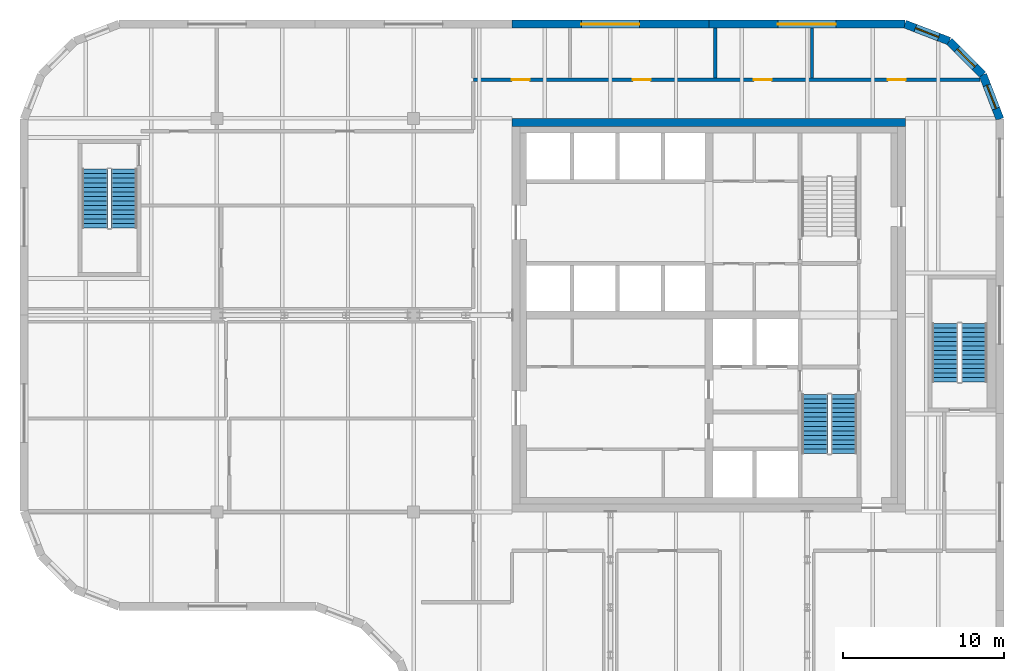
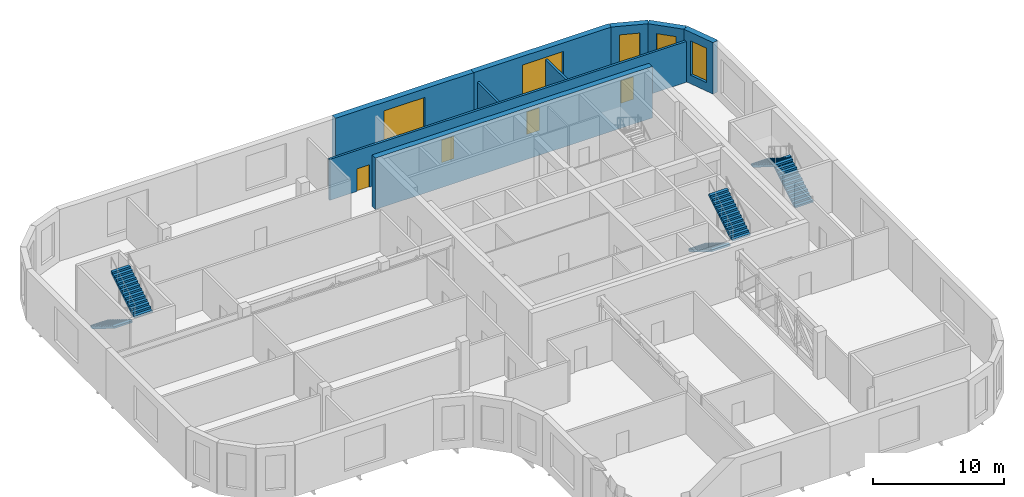
# One storey, part 10 of 12: 9 walls, 6 stair flights, 5 windows, 4 doors, 9 openings, 3 elements without a shape of their own.
"""IFC4 building model written with IfcOpenShell, lengths in metres."""

import ifcopenshell
import ifcopenshell.guid

model = None  # the IFC model being written
_history = None  # IfcOwnerHistory: only IFC2X3 demands one
_inside = {}  # id of a spatial element -> (the spatial element, [elements in it])
_under = {}  # id of a project, library or spatial element -> (it, [spatial elements below it])
_declared = {}  # id of a project -> (the project, [libraries it declares])
_typed = {}  # id of a type object -> (the type object, [elements of that type])
_made_of = {}  # id of a material, layer set ... -> (it, [elements and type objects made of it])


def new_model(schema):
    """Start an empty IFC model of exactly this schema.

    Asked for "IFC4X3", IfcOpenShell would pick the latest addendum, in which some entities
    have other attributes; the version numbers below select the first issue.
    IFC2X3 requires an IfcOwnerHistory on every rooted entity: one is made here for all.
    """
    global model, _history
    if schema == "IFC4X3":
        model = ifcopenshell.file(schema_version=(4, 3, 0, 0))
    else:
        model = ifcopenshell.file(schema=schema)
    _inside.clear()
    _under.clear()
    _declared.clear()
    _typed.clear()
    _made_of.clear()
    _history = None
    if model.schema == "IFC2X3":
        org = make("IfcOrganization", Name="unknown")
        user = make(
            "IfcPersonAndOrganization",
            ThePerson=make("IfcPerson", FamilyName="unknown"),
            TheOrganization=org,
        )
        app = make(
            "IfcApplication",
            ApplicationDeveloper=org,
            Version="unknown",
            ApplicationFullName="unknown",
            ApplicationIdentifier="unknown",
        )
        _history = make(
            "IfcOwnerHistory",
            OwningUser=user,
            OwningApplication=app,
            ChangeAction="ADDED",
            CreationDate=0,
        )
    return model


def make(cls, **values):
    """One entity of the class cls with the attributes given. An attribute that is None is left unset."""
    return model.create_entity(
        cls, **{name: value for name, value in values.items() if value is not None}
    )


def rooted(cls, **values):
    """An entity with a GlobalId (a new one), such as an element, a storey or a relation."""
    return make(cls, GlobalId=ifcopenshell.guid.new(), OwnerHistory=_history, **values)


def si_unit(unit_type, name, prefix=None):
    """IfcSIUnit, for example si_unit("LENGTHUNIT", "METRE", prefix="MILLI")."""
    return make("IfcSIUnit", UnitType=unit_type, Prefix=prefix, Name=name)


def assignment(units):
    """IfcUnitAssignment: the units of a project."""
    return None if units is None else make("IfcUnitAssignment", Units=units)


def point(xyz):
    """IfcCartesianPoint."""
    return None if xyz is None else make("IfcCartesianPoint", Coordinates=xyz)


def direction(xyz):
    """IfcDirection."""
    return None if xyz is None else make("IfcDirection", DirectionRatios=xyz)


def frame(location, z_axis=None, x_axis=None):
    """IfcAxis2Placement3D, a coordinate frame: its origin and axes. An axis left out is left unset."""
    return make(
        "IfcAxis2Placement3D",
        Location=point(location),
        Axis=direction(z_axis),
        RefDirection=direction(x_axis),
    )


def frame_2d(location, x_axis=None):
    """IfcAxis2Placement2D, a coordinate frame in the plane: its origin and x axis."""
    return make(
        "IfcAxis2Placement2D", Location=point(location), RefDirection=direction(x_axis)
    )


def origin():
    """The frame at (0, 0, 0) with its axes left unset."""
    return frame((0.0, 0.0, 0.0))


def place(relative_to, where):
    """IfcLocalPlacement: puts the frame where relative to a parent placement (None: the world)."""
    return make(
        "IfcLocalPlacement", PlacementRelTo=relative_to, RelativePlacement=where
    )


def context(
    kind, dimensions, precision=None, world=None, true_north=None, identifier=None
):
    """IfcGeometricRepresentationContext, for example the 3D "Model" context."""
    return make(
        "IfcGeometricRepresentationContext",
        ContextIdentifier=identifier,
        ContextType=kind,
        CoordinateSpaceDimension=dimensions,
        Precision=precision,
        WorldCoordinateSystem=world,
        TrueNorth=true_north,
    )


def subcontext(parent, identifier, kind, view, scale=None):
    """IfcGeometricRepresentationSubContext, for example "Body" below "Model"."""
    return make(
        "IfcGeometricRepresentationSubContext",
        ContextIdentifier=identifier,
        ContextType=kind,
        ParentContext=parent,
        TargetScale=scale,
        TargetView=view,
    )


def project(units=None, contexts=None):
    """IfcProject with its units and contexts."""
    return rooted(
        "IfcProject",
        Name="project",
        RepresentationContexts=contexts,
        UnitsInContext=assignment(units),
    )


def spatial(cls, under=None, at=None, **own):
    """A site, building, storey or space (cls), placed at a placement, below another one or the project."""
    s = rooted(cls, ObjectPlacement=at, **own)
    if under is not None:
        _under.setdefault(under.id(), (under, []))[1].append(s)
    return s


def polyline(points):
    """IfcPolyline through the points."""
    return make("IfcPolyline", Points=[point(p) for p in points])


def profile(cls, at=None, kind="AREA", **sizes):
    """A parametric profile (cls). Its sizes go by their IFC names, for example OverallWidth=200.0."""
    return make(cls, ProfileType=kind, Position=at, **sizes)


def rectangle(**sizes):
    """IfcRectangleProfileDef."""
    return profile("IfcRectangleProfileDef", **sizes)


def outline(outer, holes=None, kind="AREA"):
    """IfcArbitraryClosedProfileDef: a profile drawn as a closed curve; with holes, ...WithVoids."""
    if holes is None:
        return make("IfcArbitraryClosedProfileDef", ProfileType=kind, OuterCurve=outer)
    return make(
        "IfcArbitraryProfileDefWithVoids",
        ProfileType=kind,
        OuterCurve=outer,
        InnerCurves=holes,
    )


def extrude(swept, where, along, depth):
    """IfcExtrudedAreaSolid: the profile swept, set in the frame where, extruded along a direction by depth."""
    return make(
        "IfcExtrudedAreaSolid",
        SweptArea=swept,
        Position=where,
        ExtrudedDirection=direction(along),
        Depth=depth,
    )


def faces_of(points, faces, orient=None, outer=None):
    """IfcFace entities. A face is a list of loops; a loop is a list of indices into points, from 0.

    orient and outer hold one flag for each loop. By default every Orientation is true, the
    first loop of a face is its IfcFaceOuterBound and the others are IfcFaceBound.
    """
    made = []
    for i, loops in enumerate(faces):
        bounds = []
        for j, loop in enumerate(loops):
            is_outer = j == 0 if outer is None else outer[i][j]
            bounds.append(
                make(
                    "IfcFaceOuterBound" if is_outer else "IfcFaceBound",
                    Bound=make("IfcPolyLoop", Polygon=[points[k] for k in loop]),
                    Orientation=True if orient is None else orient[i][j],
                )
            )
        made.append(make("IfcFace", Bounds=bounds))
    return made


def faceted_brep(points, faces, orient=None, outer=None, voids=None):
    """IfcFacetedBrep: a solid bounded by flat faces; with voids (closed shells), ...WithVoids."""
    shared = [point(p) for p in points]
    hull = make("IfcClosedShell", CfsFaces=faces_of(shared, faces, orient, outer))
    if voids is None:
        return make("IfcFacetedBrep", Outer=hull)
    return make(
        "IfcFacetedBrepWithVoids",
        Outer=hull,
        Voids=[
            make(cls, CfsFaces=faces_of(shared, fs, o, b)) for cls, fs, o, b in voids
        ],
    )


def shape(context_of_items, identifier, shape_type, items):
    """IfcShapeRepresentation: the items that make up one representation, for example the "Body"."""
    return make(
        "IfcShapeRepresentation",
        ContextOfItems=context_of_items,
        RepresentationIdentifier=identifier,
        RepresentationType=shape_type,
        Items=items,
    )


def source(mapping_origin, context_of_items, identifier, shape_type, items):
    """IfcRepresentationMap: a shape defined once, which mapped items show again and again."""
    return make(
        "IfcRepresentationMap",
        MappingOrigin=mapping_origin,
        MappedRepresentation=shape(context_of_items, identifier, shape_type, items),
    )


def transform(
    local_origin,
    x_axis=None,
    y_axis=None,
    z_axis=None,
    scale=None,
    scale2=None,
    scale3=None,
    uniform=True,
):
    """IfcCartesianTransformationOperator3D, or its non-uniform kind. x_axis, y_axis, z_axis: its Axis1, 2, 3."""
    if uniform:
        return make(
            "IfcCartesianTransformationOperator3D",
            Axis1=direction(x_axis),
            Axis2=direction(y_axis),
            LocalOrigin=point(local_origin),
            Scale=scale,
            Axis3=direction(z_axis),
        )
    return make(
        "IfcCartesianTransformationOperator3DnonUniform",
        Axis1=direction(x_axis),
        Axis2=direction(y_axis),
        LocalOrigin=point(local_origin),
        Scale=scale,
        Axis3=direction(z_axis),
        Scale2=scale2,
        Scale3=scale3,
    )


def mapped(mapping_source, mapping_target):
    """IfcMappedItem: shows the shape of a source again, moved by a transform."""
    return make(
        "IfcMappedItem", MappingSource=mapping_source, MappingTarget=mapping_target
    )


def material(Name=None, Category=None):
    """IfcMaterial."""
    return make("IfcMaterial", Name=Name, Category=Category)


def layer(
    of_material, thickness, ventilated=None, Name=None, Category=None, Priority=None
):
    """IfcMaterialLayer: one layer of a wall or slab, of a material (None: an air gap)."""
    return make(
        "IfcMaterialLayer",
        Material=of_material,
        LayerThickness=thickness,
        IsVentilated=ventilated,
        Name=Name,
        Category=Category,
        Priority=Priority,
    )


def layer_set(layers, Name=None):
    """IfcMaterialLayerSet."""
    return make("IfcMaterialLayerSet", MaterialLayers=layers, LayerSetName=Name)


def made_of(thing, what):
    """Note that an element or type object is made of a material, layer set ...; save() writes the relation."""
    if what is not None:
        _made_of.setdefault(what.id(), (what, []))[1].append(thing)
    return thing


def type_object(cls, material=None, **own):
    """A type object (cls), such as IfcWallType, which elements share."""
    return made_of(rooted(cls, **own), material)


def element(
    cls,
    number,
    at=None,
    inside=None,
    cuts=None,
    type_object=None,
    material=None,
    context=None,
    identifier="Body",
    shape_type=None,
    held_by="IfcProductDefinitionShape",
    body=None,
    shapes=None,
    **own,
):
    """One element of the class cls, such as IfcWall. Its Tag is "e" and its number.

    at: its placement. inside: the storey or other place that contains it. cuts: it is an
    opening in that element (IfcRelVoidsElement). A single representation is given by context,
    identifier, shape_type and body (its items); several are given by shapes. held_by: the class
    of the entity that holds the representations. save() writes the other relations.
    """
    e = rooted(cls, Tag="e%d" % number, ObjectPlacement=at, **own)
    if body is not None:
        shapes = [shape(context, identifier, shape_type, body)]
    if shapes is not None:
        e.Representation = make(held_by, Representations=shapes)
    if inside is not None:
        _inside.setdefault(inside.id(), (inside, []))[1].append(e)
    if cuts is not None:
        rooted(
            "IfcRelVoidsElement", RelatingBuildingElement=cuts, RelatedOpeningElement=e
        )
    if type_object is not None:
        _typed.setdefault(type_object.id(), (type_object, []))[1].append(e)
    return made_of(e, material)


def fill(opening, filler):
    """IfcRelFillsElement: the door or window that sits in an opening."""
    return rooted(
        "IfcRelFillsElement",
        RelatingOpeningElement=opening,
        RelatedBuildingElement=filler,
    )


def aggregate(whole, parts):
    """IfcRelAggregates: a whole, such as a stair, and the parts it consists of."""
    return rooted("IfcRelAggregates", RelatingObject=whole, RelatedObjects=parts)


def save(model, path):
    """Write the relations noted so far, then the file.

    IfcRelAggregates (storeys below a building ...), IfcRelContainedInSpatialStructure (elements
    in a storey), IfcRelDefinesByType, IfcRelAssociatesMaterial and IfcRelDeclares: one each for
    every whole, place, type object, material and project.
    """
    for whole, parts in _under.values():
        aggregate(whole, parts)
    for where, things in _inside.values():
        rooted(
            "IfcRelContainedInSpatialStructure",
            RelatedElements=things,
            RelatingStructure=where,
        )
    for kind, things in _typed.values():
        rooted("IfcRelDefinesByType", RelatedObjects=things, RelatingType=kind)
    for what, things in _made_of.values():
        rooted("IfcRelAssociatesMaterial", RelatedObjects=things, RelatingMaterial=what)
    for by, libraries in _declared.values():
        rooted("IfcRelDeclares", RelatingContext=by, RelatedDefinitions=libraries)
    model.write(path)


model = new_model("IFC4")

# Units and contexts
model_context = context("Model", 3, precision=1e-05, world=origin(), true_north=direction((0.0, 1.0)))
body_context = subcontext(model_context, "Body", "Model", "MODEL_VIEW")
ifc_project = project(units=[si_unit("LENGTHUNIT", "METRE"), si_unit("AREAUNIT", "SQUARE_METRE"), si_unit("VOLUMEUNIT", "CUBIC_METRE"), si_unit("PLANEANGLEUNIT", "RADIAN"), si_unit("MASSUNIT", "GRAM", prefix="KILO")], contexts=[model_context])

# Site, building, storey
site_placement = place(None, origin())
site = spatial("IfcSite", under=ifc_project, at=site_placement, CompositionType="ELEMENT")
building_placement = place(site_placement, origin())
building = spatial("IfcBuilding", under=site, at=building_placement, Name="Tessera Gate Towers", CompositionType="ELEMENT")
storey_placement = place(building_placement, frame((0.0, 0.0, 232.10009765625)))
storey = spatial("IfcBuildingStorey", under=building, at=storey_placement, Name="L58", CompositionType="ELEMENT", Elevation=232.10009765625)

# Wall
ifc_material_1 = material(Name="Concrete C50/60", Category="concrete")
ifc_layer_1 = layer(ifc_material_1, 0.5)
ifc_layer_set_1 = layer_set([ifc_layer_1], Name="CORE SHEAR WALL 500 C50/60")
wall_type_1 = type_object("IfcWallType", Name="CORE SHEAR WALL 500 C50/60", PredefinedType="SHEAR", material=ifc_layer_set_1)
wall_1_placement = place(storey_placement, frame((30.5, 48.550048828125, 0.0), z_axis=(0.0, 0.0, 1.0), x_axis=(1.0, 0.0, 0.0)))
element("IfcWall", 1, at=wall_1_placement, inside=storey, type_object=wall_type_1, Name="Core wall N L58", PredefinedType="SHEAR", context=body_context, shape_type="SweptSolid", body=[
    extrude(rectangle(XDim=24.39990234375, YDim=0.5, at=frame_2d((12.199951171875, 0.0))), origin(), (0.0, 0.0, 1.0), 4.7998046875),
])

# Wall, openings, doors
ifc_material_2 = material(Name="Concrete masonry unit", Category="masonry")
ifc_layer_2 = layer(ifc_material_2, 0.199951171875)
ifc_layer_set_2 = layer_set([ifc_layer_2], Name="PLANT WALL 200")
wall_type_2 = type_object("IfcWallType", Name="PLANT WALL 200", PredefinedType="PARTITIONING", material=ifc_layer_set_2)
wall_2_placement = place(storey_placement, frame((28.10009765625, 51.199951171875, 0.0), z_axis=(0.0, 0.0, 1.0), x_axis=(1.0, 0.0, 0.0)))
wall_2 = element("IfcWall", 2, at=wall_2_placement, inside=storey, type_object=wall_type_2, Name="T1-L58-PW-039", PredefinedType="PARTITIONING", context=body_context, shape_type="SweptSolid", body=[
    extrude(rectangle(XDim=31.4130859375, YDim=0.199951171875, at=frame_2d((15.70654296875, 0.0))), origin(), (0.0, 0.0, 1.0), 3.81689453125),
])
shared_shape_1 = source(origin(), body_context, "Body", "SweptSolid", [
    extrude(rectangle(XDim=1.10009765625, YDim=2.10009765625, at=frame_2d((0.550048828125, 1.050048828125))), frame((0.0, 0.10986328125, 0.0), z_axis=(0.0, -1.0, 0.0), x_axis=(1.0, 0.0, 0.0)), (0.0, 0.0, 1.0), 0.219970703125),
])
opening_1_placement = place(wall_2_placement, frame((17.40087890625, 0.0, 0.0)))
opening_1 = element("IfcOpeningElement", 3, at=opening_1_placement, cuts=wall_2, Name="Opening D5110FD90-A32-09", PredefinedType="OPENING", context=body_context, shape_type="MappedRepresentation", body=[
    mapped(shared_shape_1, transform((0.0, 0.0, 0.0), scale=1.0)),
])
opening_2_placement = place(wall_2_placement, frame((2.39990234375, 0.0, 0.0)))
opening_2 = element("IfcOpeningElement", 4, at=opening_2_placement, cuts=wall_2, Name="Opening D5110FD90-A32-10", PredefinedType="OPENING", context=body_context, shape_type="MappedRepresentation", body=[
    mapped(shared_shape_1, transform((0.0, 0.0, 0.0), scale=1.0)),
])
opening_3_placement = place(wall_2_placement, frame((9.89990234375, 0.0, 0.0)))
opening_3 = element("IfcOpeningElement", 5, at=opening_3_placement, cuts=wall_2, Name="Opening D5110FD90-A32-17", PredefinedType="OPENING", context=body_context, shape_type="MappedRepresentation", body=[
    mapped(shared_shape_1, transform((0.0, 0.0, 0.0), scale=1.0)),
])
opening_4_placement = place(wall_2_placement, frame((25.699951171875, 0.0, 0.0)))
opening_4 = element("IfcOpeningElement", 6, at=opening_4_placement, cuts=wall_2, Name="Opening D5110FD90-A32-18", PredefinedType="OPENING", context=body_context, shape_type="MappedRepresentation", body=[
    mapped(shared_shape_1, transform((0.0, 0.0, 0.0), scale=1.0)),
])
ifc_material_3 = material(Name="Timber door leaf in steel frame", Category="steel")
door_type = type_object("IfcDoorType", Name="PLANT DOOR 1100 FD90", OperationType="NOTDEFINED", PredefinedType="DOOR", material=ifc_material_3)
shared_shape_2 = source(origin(), body_context, "Body", "SweptSolid", [
    extrude(rectangle(XDim=1.10009765625, YDim=2.10009765625, at=frame_2d((0.550048828125, 1.050048828125))), frame((0.0, 0.02490234375, 0.0), z_axis=(0.0, -1.0, 0.0), x_axis=(1.0, 0.0, 0.0)), (0.0, 0.0, 1.0), 0.050048828125),
])
door_1_placement = place(opening_1_placement, origin())
door_1 = element("IfcDoor", 7, at=door_1_placement, inside=storey, type_object=door_type, Name="T1-L58-PD-009", OperationType="SINGLE_SWING_LEFT", OverallHeight=2.10009765625, OverallWidth=1.10009765625, PredefinedType="DOOR", context=body_context, shape_type="MappedRepresentation", body=[
    mapped(shared_shape_2, transform((0.0, 0.0, 0.0), scale=1.0)),
])
fill(opening_1, door_1)
door_2_placement = place(opening_2_placement, origin())
door_2 = element("IfcDoor", 8, at=door_2_placement, inside=storey, type_object=door_type, Name="T1-L58-PD-010", OperationType="SINGLE_SWING_LEFT", OverallHeight=2.10009765625, OverallWidth=1.10009765625, PredefinedType="DOOR", context=body_context, shape_type="MappedRepresentation", body=[
    mapped(shared_shape_2, transform((0.0, 0.0, 0.0), scale=1.0)),
])
fill(opening_2, door_2)
door_3_placement = place(opening_3_placement, origin())
door_3 = element("IfcDoor", 9, at=door_3_placement, inside=storey, type_object=door_type, Name="T1-L58-PD-017", OperationType="SINGLE_SWING_LEFT", OverallHeight=2.10009765625, OverallWidth=1.10009765625, PredefinedType="DOOR", context=body_context, shape_type="MappedRepresentation", body=[
    mapped(shared_shape_2, transform((0.0, 0.0, 0.0), scale=1.0)),
])
fill(opening_3, door_3)
door_4_placement = place(opening_4_placement, origin())
door_4 = element("IfcDoor", 10, at=door_4_placement, inside=storey, type_object=door_type, Name="T1-L58-PD-018", OperationType="SINGLE_SWING_LEFT", OverallHeight=2.10009765625, OverallWidth=1.10009765625, PredefinedType="DOOR", context=body_context, shape_type="MappedRepresentation", body=[
    mapped(shared_shape_2, transform((0.0, 0.0, 0.0), scale=1.0)),
])
fill(opening_4, door_4)

# Walls
for number, where, z_axis, x_axis, name in (
    (11, (43.10009765625, 51.301025390625, 0.0), (0.0, 0.0, 1.0), (0.0, 1.0, 0.0), "T1-L58-PW-042"),
    (12, (49.10009765625, 51.301025390625, 0.0), (0.0, 0.0, 1.0), (0.0, 1.0, 0.0), "T1-L58-PW-043"),
):
    element("IfcWall", number, at=place(storey_placement, frame(where, z_axis=z_axis, x_axis=x_axis)), inside=storey, type_object=wall_type_2, Name=name, PredefinedType="PARTITIONING", context=body_context, shape_type="SweptSolid", body=[
        extrude(rectangle(XDim=3.098876953125, YDim=0.199951171875, at=frame_2d((1.54931640625, 0.0))), origin(), (0.0, 0.0, 1.0), 3.81689453125),
    ])

# Wall, opening, window
ifc_material_4 = material(Name="Precast concrete C60/75 white", Category="concrete")
ifc_layer_3 = layer(ifc_material_4, 0.5)
ifc_layer_set_3 = layer_set([ifc_layer_3], Name="RB1 ring band panel")
wall_type_3 = type_object("IfcWallType", Name="RB1 ring band panel", PredefinedType="SOLIDWALL", material=ifc_layer_set_3)
shared_shape_3 = source(origin(), body_context, "Body", "Brep", [
    faceted_brep([(0.0, -0.25, 0.0), (12.153564453125, -0.25, 0.0), (12.153564453125, -0.25, 4.7998046875), (0.0, -0.25, 4.7998046875), (0.046630859375, 0.25, 4.7998046875), (12.153564453125, 0.25, 4.7998046875), (12.153564453125, 0.25, 0.0), (0.046630859375, 0.25, 0.0), (0.0, 0.0, 0.0), (0.0, 0.0, 4.7998046875)], [[[0, 1, 2, 3]], [[4, 5, 6, 7]], [[7, 6, 1, 0, 8]], [[5, 4, 9, 3, 2]], [[8, 0, 3, 9]], [[7, 8, 9, 4]], [[1, 6, 5, 2]]]),
])
wall_3_placement = place(storey_placement, frame((54.853515625, 54.64990234375, 0.0), z_axis=(0.0, 0.0, 1.0), x_axis=(-1.0, 0.0, 0.0)))
wall_3 = element("IfcWall", 13, at=wall_3_placement, inside=storey, type_object=wall_type_3, Name="Ring band panel T1 RB1-0077", PredefinedType="SOLIDWALL", context=body_context, shape_type="MappedRepresentation", body=[
    mapped(shared_shape_3, transform((0.0, 0.0, 0.0), scale=1.0)),
])
shared_shape_4 = source(origin(), body_context, "Body", "SweptSolid", [
    extrude(outline(polyline([(4.276611328125, 0.7998046875), (7.876708984375, 0.7998046875), (7.876708984375, 4.0), (4.276611328125, 4.0), (4.276611328125, 0.7998046875)])), frame((0.0, 0.260009765625, 0.0), z_axis=(0.0, -1.0, 0.0), x_axis=(1.0, 0.0, 0.0)), (0.0, 0.0, 1.0), 0.52001953125),
])
opening_5_placement = place(wall_3_placement, origin())
opening_5 = element("IfcOpeningElement", 14, at=opening_5_placement, cuts=wall_3, Name="Opening T1-WN-LV1-0077", PredefinedType="OPENING", context=body_context, shape_type="MappedRepresentation", body=[
    mapped(shared_shape_4, transform((0.0, 0.0, 0.0), scale=1.0)),
])
ifc_material_5 = material(Name="Aluminium louvre", Category="aluminium")
ifc_layer_4 = layer(ifc_material_5, 0.06005859375)
ifc_layer_set_4 = layer_set([ifc_layer_4], Name="LV1 louvre")
window_type = type_object("IfcWindowType", Name="LV1 louvre", PartitioningType="USERDEFINED", PredefinedType="WINDOW", material=ifc_layer_set_4)
shared_shape_5 = source(origin(), body_context, "Body", "SweptSolid", [
    extrude(outline(polyline([(4.276611328125, 0.7998046875), (7.876708984375, 0.7998046875), (7.876708984375, 4.0), (4.276611328125, 4.0), (4.276611328125, 0.7998046875)])), frame((0.0, 0.030029296875, 0.0), z_axis=(0.0, -1.0, 0.0), x_axis=(1.0, 0.0, 0.0)), (0.0, 0.0, 1.0), 0.06005859375),
])
window_1_placement = place(opening_5_placement, origin())
window_1 = element("IfcWindow", 15, at=window_1_placement, inside=storey, type_object=window_type, Name="Louvre T1 WN-LV1-0077", OverallHeight=3.2001953125, OverallWidth=3.60009765625, PartitioningType="USERDEFINED", PredefinedType="WINDOW", context=body_context, shape_type="MappedRepresentation", body=[
    mapped(shared_shape_5, transform((0.0, 0.0, 0.0), scale=1.0)),
])
fill(opening_5, window_1)

shared_shape_6 = source(origin(), body_context, "Body", "Brep", [
    faceted_brep([(0.0, -0.25, 0.0), (2.950439453125, -0.25, 0.0), (2.950439453125, -0.25, 4.7998046875), (0.0, -0.25, 4.7998046875), (0.046630859375, 0.25, 4.7998046875), (2.897705078125, 0.25, 4.7998046875), (2.897705078125, 0.25, 0.0), (0.046630859375, 0.25, 0.0), (2.950439453125, 0.00048828125, 0.0), (0.0, 0.0, 0.0), (2.950439453125, 0.00048828125, 4.7998046875), (0.0, 0.0, 4.7998046875)], [[[0, 1, 2, 3]], [[4, 5, 6, 7]], [[7, 6, 8, 1, 0, 9]], [[10, 2, 1, 8]], [[5, 4, 11, 3, 2, 10]], [[9, 0, 3, 11]], [[7, 9, 11, 4]], [[8, 6, 5, 10]]]),
])
wall_4_placement = place(storey_placement, frame((60.75, 48.75341796875, 0.0), z_axis=(0.0, 0.0, 1.0), x_axis=(-0.359877213415, 0.932999673775, 0.0)))
wall_4 = element("IfcWall", 16, at=wall_4_placement, inside=storey, type_object=wall_type_3, Name="Ring band panel T1 RB1-0074", PredefinedType="SOLIDWALL", context=body_context, shape_type="MappedRepresentation", body=[
    mapped(shared_shape_6, transform((0.0, 0.0, 0.0), scale=1.0)),
])
shared_shape_7 = source(origin(), body_context, "Body", "SweptSolid", [
    extrude(outline(polyline([(0.699951171875, 0.7998046875), (2.25048828125, 0.7998046875), (2.25048828125, 4.0), (0.699951171875, 4.0), (0.699951171875, 0.7998046875)])), frame((0.0, 0.260009765625, 0.0), z_axis=(0.0, -1.0, 0.0), x_axis=(1.0, 0.0, 0.0)), (0.0, 0.0, 1.0), 0.52001953125),
])
opening_6_placement = place(wall_4_placement, origin())
opening_6 = element("IfcOpeningElement", 17, at=opening_6_placement, cuts=wall_4, Name="Opening T1-WN-LV1-0074", PredefinedType="OPENING", context=body_context, shape_type="MappedRepresentation", body=[
    mapped(shared_shape_7, transform((0.0, 0.0, 0.0), scale=1.0)),
])
shared_shape_8 = source(origin(), body_context, "Body", "SweptSolid", [
    extrude(outline(polyline([(0.699951171875, 0.7998046875), (2.25048828125, 0.7998046875), (2.25048828125, 4.0), (0.699951171875, 4.0), (0.699951171875, 0.7998046875)])), frame((0.0, 0.030029296875, 0.0), z_axis=(0.0, -1.0, 0.0), x_axis=(1.0, 0.0, 0.0)), (0.0, 0.0, 1.0), 0.06005859375),
])
window_2_placement = place(opening_6_placement, origin())
window_2 = element("IfcWindow", 18, at=window_2_placement, inside=storey, type_object=window_type, Name="Louvre T1 WN-LV1-0074", OverallHeight=3.2001953125, OverallWidth=1.550537109375, PartitioningType="USERDEFINED", PredefinedType="WINDOW", context=body_context, shape_type="MappedRepresentation", body=[
    mapped(shared_shape_8, transform((0.0, 0.0, 0.0), scale=1.0)),
])
fill(opening_6, window_2)

shared_shape_9 = source(origin(), body_context, "Body", "Brep", [
    faceted_brep([(0.0, -0.25, 0.0), (2.944091796875, -0.25, 0.0), (2.944091796875, -0.25, 4.7998046875), (0.0, -0.25, 4.7998046875), (0.052978515625, 0.25, 4.7998046875), (2.89111328125, 0.25, 4.7998046875), (2.89111328125, 0.25, 0.0), (0.052978515625, 0.25, 0.0), (2.944091796875, 0.000244140625, 0.0), (0.0, 0.0, 0.0), (2.944091796875, 0.000244140625, 4.7998046875), (0.0, 0.0, 4.7998046875)], [[[0, 1, 2, 3]], [[4, 5, 6, 7]], [[7, 6, 8, 1, 0, 9]], [[10, 2, 1, 8]], [[5, 4, 11, 3, 2, 10]], [[9, 0, 3, 11]], [[7, 9, 11, 4]], [[8, 6, 5, 10]]]),
])
wall_5_placement = place(storey_placement, frame((59.68798828125, 51.50634765625, 0.0), z_axis=(0.0, 0.0, 1.0), x_axis=(-0.707106781187, 0.707106781187, 0.0)))
wall_5 = element("IfcWall", 19, at=wall_5_placement, inside=storey, type_object=wall_type_3, Name="Ring band panel T1 RB1-0075", PredefinedType="SOLIDWALL", context=body_context, shape_type="MappedRepresentation", body=[
    mapped(shared_shape_9, transform((0.0, 0.0, 0.0), scale=1.0)),
])
shared_shape_10 = source(origin(), body_context, "Body", "SweptSolid", [
    extrude(outline(polyline([(0.699951171875, 0.7998046875), (2.244140625, 0.7998046875), (2.244140625, 4.0), (0.699951171875, 4.0), (0.699951171875, 0.7998046875)])), frame((0.0, 0.260009765625, 0.0), z_axis=(0.0, -1.0, 0.0), x_axis=(1.0, 0.0, 0.0)), (0.0, 0.0, 1.0), 0.52001953125),
])
opening_7_placement = place(wall_5_placement, origin())
opening_7 = element("IfcOpeningElement", 20, at=opening_7_placement, cuts=wall_5, Name="Opening T1-WN-LV1-0075", PredefinedType="OPENING", context=body_context, shape_type="MappedRepresentation", body=[
    mapped(shared_shape_10, transform((0.0, 0.0, 0.0), scale=1.0)),
])
shared_shape_11 = source(origin(), body_context, "Body", "SweptSolid", [
    extrude(outline(polyline([(0.699951171875, 0.7998046875), (2.244140625, 0.7998046875), (2.244140625, 4.0), (0.699951171875, 4.0), (0.699951171875, 0.7998046875)])), frame((0.0, 0.030029296875, 0.0), z_axis=(0.0, -1.0, 0.0), x_axis=(1.0, 0.0, 0.0)), (0.0, 0.0, 1.0), 0.06005859375),
])
window_3_placement = place(opening_7_placement, origin())
window_3 = element("IfcWindow", 21, at=window_3_placement, inside=storey, type_object=window_type, Name="Louvre T1 WN-LV1-0075", OverallHeight=3.2001953125, OverallWidth=1.544189453125, PartitioningType="USERDEFINED", PredefinedType="WINDOW", context=body_context, shape_type="MappedRepresentation", body=[
    mapped(shared_shape_11, transform((0.0, 0.0, 0.0), scale=1.0)),
])
fill(opening_7, window_3)

shared_shape_12 = source(origin(), body_context, "Body", "Brep", [
    faceted_brep([(0.0, -0.25, 0.0), (2.950439453125, -0.25, 0.0), (2.950439453125, -0.25, 4.7998046875), (0.0, -0.25, 4.7998046875), (0.052978515625, 0.25, 4.7998046875), (2.904052734375, 0.25, 4.7998046875), (2.904052734375, 0.25, 0.0), (0.052978515625, 0.25, 0.0), (2.950439453125, 0.00048828125, 0.0), (0.0, 0.0, 0.0), (2.950439453125, 0.00048828125, 4.7998046875), (0.0, 0.0, 4.7998046875)], [[[0, 1, 2, 3]], [[4, 5, 6, 7]], [[7, 6, 8, 1, 0, 9]], [[10, 2, 1, 8]], [[5, 4, 11, 3, 2, 10]], [[9, 0, 3, 11]], [[7, 9, 11, 4]], [[8, 6, 5, 10]]]),
])
wall_6_placement = place(storey_placement, frame((57.606201171875, 53.588134765625, 0.0), z_axis=(0.0, 0.0, 1.0), x_axis=(-0.932999673775, 0.359877213415, 0.0)))
wall_6 = element("IfcWall", 22, at=wall_6_placement, inside=storey, type_object=wall_type_3, Name="Ring band panel T1 RB1-0076", PredefinedType="SOLIDWALL", context=body_context, shape_type="MappedRepresentation", body=[
    mapped(shared_shape_12, transform((0.0, 0.0, 0.0), scale=1.0)),
])
opening_8_placement = place(wall_6_placement, origin())
opening_8 = element("IfcOpeningElement", 23, at=opening_8_placement, cuts=wall_6, Name="Opening T1-WN-LV1-0076", PredefinedType="OPENING", context=body_context, shape_type="MappedRepresentation", body=[
    mapped(shared_shape_7, transform((0.0, 0.0, 0.0), scale=1.0)),
])
window_4_placement = place(opening_8_placement, origin())
window_4 = element("IfcWindow", 24, at=window_4_placement, inside=storey, type_object=window_type, Name="Louvre T1 WN-LV1-0076", OverallHeight=3.2001953125, OverallWidth=1.550537109375, PartitioningType="USERDEFINED", PredefinedType="WINDOW", context=body_context, shape_type="MappedRepresentation", body=[
    mapped(shared_shape_8, transform((0.0, 0.0, 0.0), scale=1.0)),
])
fill(opening_8, window_4)

shared_shape_13 = source(origin(), body_context, "Body", "SweptSolid", [
    extrude(outline(polyline([(0.0, 0.0), (12.199951171875, 0.0), (12.199951171875, 4.7998046875), (0.0, 4.7998046875), (0.0, 0.0)])), frame((0.0, 0.25, 0.0), z_axis=(0.0, -1.0, 0.0), x_axis=(1.0, 0.0, 0.0)), (0.0, 0.0, 1.0), 0.5),
])
wall_7_placement = place(storey_placement, frame((42.699951171875, 54.64990234375, 0.0), z_axis=(0.0, 0.0, 1.0), x_axis=(-1.0, 0.0, 0.0)))
wall_7 = element("IfcWall", 25, at=wall_7_placement, inside=storey, type_object=wall_type_3, Name="Ring band panel T1 RB1-0078", PredefinedType="SOLIDWALL", context=body_context, shape_type="MappedRepresentation", body=[
    mapped(shared_shape_13, transform((0.0, 0.0, 0.0), scale=1.0)),
])
shared_shape_14 = source(origin(), body_context, "Body", "SweptSolid", [
    extrude(outline(polyline([(4.300048828125, 0.7998046875), (7.89990234375, 0.7998046875), (7.89990234375, 4.0), (4.300048828125, 4.0), (4.300048828125, 0.7998046875)])), frame((0.0, 0.260009765625, 0.0), z_axis=(0.0, -1.0, 0.0), x_axis=(1.0, 0.0, 0.0)), (0.0, 0.0, 1.0), 0.52001953125),
])
opening_9_placement = place(wall_7_placement, origin())
opening_9 = element("IfcOpeningElement", 26, at=opening_9_placement, cuts=wall_7, Name="Opening T1-WN-LV1-0078", PredefinedType="OPENING", context=body_context, shape_type="MappedRepresentation", body=[
    mapped(shared_shape_14, transform((0.0, 0.0, 0.0), scale=1.0)),
])
shared_shape_15 = source(origin(), body_context, "Body", "SweptSolid", [
    extrude(outline(polyline([(4.300048828125, 0.7998046875), (7.89990234375, 0.7998046875), (7.89990234375, 4.0), (4.300048828125, 4.0), (4.300048828125, 0.7998046875)])), frame((0.0, 0.030029296875, 0.0), z_axis=(0.0, -1.0, 0.0), x_axis=(1.0, 0.0, 0.0)), (0.0, 0.0, 1.0), 0.06005859375),
])
window_5_placement = place(opening_9_placement, origin())
window_5 = element("IfcWindow", 27, at=window_5_placement, inside=storey, type_object=window_type, Name="Louvre T1 WN-LV1-0078", OverallHeight=3.2001953125, OverallWidth=3.599853515625, PartitioningType="USERDEFINED", PredefinedType="WINDOW", context=body_context, shape_type="MappedRepresentation", body=[
    mapped(shared_shape_15, transform((0.0, 0.0, 0.0), scale=1.0)),
])
fill(opening_9, window_5)

# Stair, stair flights
ifc_material_6 = material(Name="Concrete C40/50", Category="concrete")
stair_type_1 = type_object("IfcStairType", Name="EXIT STAIR ST1A 1600", PredefinedType="HALF_TURN_STAIR", material=ifc_material_6)
stair_1_placement = place(storey_placement, origin())
stair_1 = element("IfcStair", 28, at=stair_1_placement, inside=storey, type_object=stair_type_1, Name="L58 Protected Exit Stair ST1", PredefinedType="HALF_TURN_STAIR")
ifc_material_7 = material(Name="Concrete C40/50", Category="concrete")
stair_flight_type_1 = type_object("IfcStairFlightType", Name="EXIT STAIR FLIGHT ST1A 1600", PredefinedType="STRAIGHT", material=ifc_material_7)
stair_flight_1_placement = place(storey_placement, frame((49.27490234375, 31.675048828125, 0.0), z_axis=(0.0, 0.0, 1.0), x_axis=(0.0, -1.0, 0.0)))
stair_flight_1 = element("IfcStairFlight", 29, at=stair_flight_1_placement, type_object=stair_flight_type_1, Name="ST1 flight 1", NumberOfRisers=14, NumberOfTreads=13, PredefinedType="STRAIGHT", RiserHeight=0.171428571, TreadLength=0.28, context=body_context, shape_type="SweptSolid", body=[
    extrude(outline(polyline([(0.0, 0.0), (0.0, 0.17138671875), (0.280029296875, 0.17138671875), (0.280029296875, 0.3427734375), (0.56005859375, 0.3427734375), (0.56005859375, 0.514404296875), (0.840087890625, 0.514404296875), (0.840087890625, 0.685791015625), (1.1201171875, 0.685791015625), (1.1201171875, 0.857177734375), (1.39990234375, 0.857177734375), (1.39990234375, 1.028564453125), (1.679931640625, 1.028564453125), (1.679931640625, 1.199951171875), (1.9599609375, 1.199951171875), (1.9599609375, 1.371337890625), (2.239990234375, 1.371337890625), (2.239990234375, 1.54296875), (2.52001953125, 1.54296875), (2.52001953125, 1.71435546875), (2.800048828125, 1.71435546875), (2.800048828125, 1.8857421875), (3.080078125, 1.8857421875), (3.080078125, 2.05712890625), (3.360107421875, 2.05712890625), (3.360107421875, 2.228515625), (3.639892578125, 2.228515625), (3.639892578125, 2.39990234375), (3.639892578125, 2.052734375), (0.287109375, 0.0), (0.0, 0.0)])), frame((0.0, 0.800048828125, 0.0), z_axis=(0.0, -1.0, 0.0), x_axis=(1.0, 0.0, 0.0)), (0.0, 0.0, 1.0), 1.60009765625),
])
stair_flight_2_placement = place(storey_placement, frame((51.074951171875, 28.034912109375, 2.39990234375), z_axis=(0.0, 0.0, 1.0), x_axis=(0.0, 1.0, 0.0)))
stair_flight_2 = element("IfcStairFlight", 30, at=stair_flight_2_placement, type_object=stair_flight_type_1, Name="ST1 flight 2", NumberOfRisers=14, NumberOfTreads=13, PredefinedType="STRAIGHT", RiserHeight=0.171428571, TreadLength=0.28, context=body_context, shape_type="SweptSolid", body=[
    extrude(outline(polyline([(0.0, 0.0), (0.0, 0.17138671875), (0.280029296875, 0.17138671875), (0.280029296875, 0.3427734375), (0.56005859375, 0.3427734375), (0.56005859375, 0.514404296875), (0.840087890625, 0.514404296875), (0.840087890625, 0.685791015625), (1.1201171875, 0.685791015625), (1.1201171875, 0.857177734375), (1.39990234375, 0.857177734375), (1.39990234375, 1.028564453125), (1.679931640625, 1.028564453125), (1.679931640625, 1.199951171875), (1.9599609375, 1.199951171875), (1.9599609375, 1.371337890625), (2.239990234375, 1.371337890625), (2.239990234375, 1.54296875), (2.52001953125, 1.54296875), (2.52001953125, 1.71435546875), (2.800048828125, 1.71435546875), (2.800048828125, 1.8857421875), (3.080078125, 1.8857421875), (3.080078125, 2.05712890625), (3.360107421875, 2.05712890625), (3.360107421875, 2.228515625), (3.639892578125, 2.228515625), (3.639892578125, 2.39990234375), (3.639892578125, 2.052734375), (0.287109375, 0.0), (0.0, 0.0)])), frame((0.0, 0.800048828125, 0.0), z_axis=(0.0, -1.0, 0.0), x_axis=(1.0, 0.0, 0.0)), (0.0, 0.0, 1.0), 1.60009765625),
])
aggregate(stair_1, [stair_flight_1, stair_flight_2])

ifc_material_8 = material(Name="Concrete C40/50", Category="concrete")
stair_type_2 = type_object("IfcStairType", Name="EXIT STAIR ST3A 1600", PredefinedType="HALF_TURN_STAIR", material=ifc_material_8)
stair_2_placement = place(storey_placement, origin())
stair_2 = element("IfcStair", 31, at=stair_2_placement, inside=storey, type_object=stair_type_2, Name="L58 West Exit Stair ST3", PredefinedType="HALF_TURN_STAIR")
ifc_material_9 = material(Name="Concrete C40/50", Category="concrete")
stair_flight_type_2 = type_object("IfcStairFlightType", Name="EXIT STAIR FLIGHT ST3A 1600", PredefinedType="STRAIGHT", material=ifc_material_9)
stair_flight_3_placement = place(storey_placement, frame((4.64990234375, 45.64990234375, 0.0), z_axis=(0.0, 0.0, 1.0), x_axis=(0.0, -1.0, 0.0)))
stair_flight_3 = element("IfcStairFlight", 32, at=stair_flight_3_placement, type_object=stair_flight_type_2, Name="ST3 flight 1", NumberOfRisers=14, NumberOfTreads=13, PredefinedType="STRAIGHT", RiserHeight=0.171428571, TreadLength=0.28, context=body_context, shape_type="SweptSolid", body=[
    extrude(outline(polyline([(0.0, 0.0), (0.0, 0.17138671875), (0.280029296875, 0.17138671875), (0.280029296875, 0.3427734375), (0.56005859375, 0.3427734375), (0.56005859375, 0.514404296875), (0.840087890625, 0.514404296875), (0.840087890625, 0.685791015625), (1.1201171875, 0.685791015625), (1.1201171875, 0.857177734375), (1.39990234375, 0.857177734375), (1.39990234375, 1.028564453125), (1.679931640625, 1.028564453125), (1.679931640625, 1.199951171875), (1.9599609375, 1.199951171875), (1.9599609375, 1.371337890625), (2.239990234375, 1.371337890625), (2.239990234375, 1.54296875), (2.52001953125, 1.54296875), (2.52001953125, 1.71435546875), (2.800048828125, 1.71435546875), (2.800048828125, 1.8857421875), (3.080078125, 1.8857421875), (3.080078125, 2.05712890625), (3.360107421875, 2.05712890625), (3.360107421875, 2.228515625), (3.639892578125, 2.228515625), (3.639892578125, 2.39990234375), (3.639892578125, 2.052734375), (0.287109375, 0.0), (0.0, 0.0)])), frame((0.0, 0.800048828125, 0.0), z_axis=(0.0, -1.0, 0.0), x_axis=(1.0, 0.0, 0.0)), (0.0, 0.0, 1.0), 1.60009765625),
])
stair_flight_4_placement = place(storey_placement, frame((6.449951171875, 42.010009765625, 2.39990234375), z_axis=(0.0, 0.0, 1.0), x_axis=(0.0, 1.0, 0.0)))
stair_flight_4 = element("IfcStairFlight", 33, at=stair_flight_4_placement, type_object=stair_flight_type_2, Name="ST3 flight 2", NumberOfRisers=14, NumberOfTreads=13, PredefinedType="STRAIGHT", RiserHeight=0.171428571, TreadLength=0.28, context=body_context, shape_type="SweptSolid", body=[
    extrude(outline(polyline([(0.0, 0.0), (0.0, 0.17138671875), (0.280029296875, 0.17138671875), (0.280029296875, 0.3427734375), (0.56005859375, 0.3427734375), (0.56005859375, 0.514404296875), (0.840087890625, 0.514404296875), (0.840087890625, 0.685791015625), (1.1201171875, 0.685791015625), (1.1201171875, 0.857177734375), (1.39990234375, 0.857177734375), (1.39990234375, 1.028564453125), (1.679931640625, 1.028564453125), (1.679931640625, 1.199951171875), (1.9599609375, 1.199951171875), (1.9599609375, 1.371337890625), (2.239990234375, 1.371337890625), (2.239990234375, 1.54296875), (2.52001953125, 1.54296875), (2.52001953125, 1.71435546875), (2.800048828125, 1.71435546875), (2.800048828125, 1.8857421875), (3.080078125, 1.8857421875), (3.080078125, 2.05712890625), (3.360107421875, 2.05712890625), (3.360107421875, 2.228515625), (3.639892578125, 2.228515625), (3.639892578125, 2.39990234375), (3.639892578125, 2.052734375), (0.287109375, 0.0), (0.0, 0.0)])), frame((0.0, 0.800048828125, 0.0), z_axis=(0.0, -1.0, 0.0), x_axis=(1.0, 0.0, 0.0)), (0.0, 0.0, 1.0), 1.60009765625),
])
aggregate(stair_2, [stair_flight_3, stair_flight_4])

ifc_material_10 = material(Name="Concrete C40/50", Category="concrete")
stair_type_3 = type_object("IfcStairType", Name="EXIT STAIR ST5A 1600", PredefinedType="HALF_TURN_STAIR", material=ifc_material_10)
stair_3_placement = place(storey_placement, origin())
stair_3 = element("IfcStair", 34, at=stair_3_placement, inside=storey, type_object=stair_type_3, Name="L58 East Exit Stair ST5", PredefinedType="HALF_TURN_STAIR")
ifc_material_11 = material(Name="Concrete C40/50", Category="concrete")
stair_flight_type_3 = type_object("IfcStairFlightType", Name="EXIT STAIR FLIGHT ST5A 1600", PredefinedType="STRAIGHT", material=ifc_material_11)
stair_flight_5_placement = place(storey_placement, frame((59.14990234375, 32.449951171875, 0.0), z_axis=(0.0, 0.0, 1.0), x_axis=(0.0, 1.0, 0.0)))
stair_flight_5 = element("IfcStairFlight", 35, at=stair_flight_5_placement, type_object=stair_flight_type_3, Name="ST5 flight 1", NumberOfRisers=14, NumberOfTreads=13, PredefinedType="STRAIGHT", RiserHeight=0.171428571, TreadLength=0.28, context=body_context, shape_type="SweptSolid", body=[
    extrude(outline(polyline([(0.0, 0.0), (0.0, 0.17138671875), (0.280029296875, 0.17138671875), (0.280029296875, 0.3427734375), (0.56005859375, 0.3427734375), (0.56005859375, 0.514404296875), (0.840087890625, 0.514404296875), (0.840087890625, 0.685791015625), (1.1201171875, 0.685791015625), (1.1201171875, 0.857177734375), (1.39990234375, 0.857177734375), (1.39990234375, 1.028564453125), (1.679931640625, 1.028564453125), (1.679931640625, 1.199951171875), (1.9599609375, 1.199951171875), (1.9599609375, 1.371337890625), (2.239990234375, 1.371337890625), (2.239990234375, 1.54296875), (2.52001953125, 1.54296875), (2.52001953125, 1.71435546875), (2.800048828125, 1.71435546875), (2.800048828125, 1.8857421875), (3.080078125, 1.8857421875), (3.080078125, 2.05712890625), (3.360107421875, 2.05712890625), (3.360107421875, 2.228515625), (3.639892578125, 2.228515625), (3.639892578125, 2.39990234375), (3.639892578125, 2.052734375), (0.287109375, 0.0), (0.0, 0.0)])), frame((0.0, 0.800048828125, 0.0), z_axis=(0.0, -1.0, 0.0), x_axis=(1.0, 0.0, 0.0)), (0.0, 0.0, 1.0), 1.60009765625),
])
stair_flight_6_placement = place(storey_placement, frame((57.35009765625, 36.090087890625, 2.39990234375), z_axis=(0.0, 0.0, 1.0), x_axis=(0.0, -1.0, 0.0)))
stair_flight_6 = element("IfcStairFlight", 36, at=stair_flight_6_placement, type_object=stair_flight_type_3, Name="ST5 flight 2", NumberOfRisers=14, NumberOfTreads=13, PredefinedType="STRAIGHT", RiserHeight=0.171428571, TreadLength=0.28, context=body_context, shape_type="SweptSolid", body=[
    extrude(outline(polyline([(0.0, 0.0), (0.0, 0.17138671875), (0.280029296875, 0.17138671875), (0.280029296875, 0.3427734375), (0.56005859375, 0.3427734375), (0.56005859375, 0.514404296875), (0.840087890625, 0.514404296875), (0.840087890625, 0.685791015625), (1.1201171875, 0.685791015625), (1.1201171875, 0.857177734375), (1.39990234375, 0.857177734375), (1.39990234375, 1.028564453125), (1.679931640625, 1.028564453125), (1.679931640625, 1.199951171875), (1.9599609375, 1.199951171875), (1.9599609375, 1.371337890625), (2.239990234375, 1.371337890625), (2.239990234375, 1.54296875), (2.52001953125, 1.54296875), (2.52001953125, 1.71435546875), (2.800048828125, 1.71435546875), (2.800048828125, 1.8857421875), (3.080078125, 1.8857421875), (3.080078125, 2.05712890625), (3.360107421875, 2.05712890625), (3.360107421875, 2.228515625), (3.639892578125, 2.228515625), (3.639892578125, 2.39990234375), (3.639892578125, 2.052734375), (0.287109375, 0.0), (0.0, 0.0)])), frame((0.0, 0.800048828125, 0.0), z_axis=(0.0, -1.0, 0.0), x_axis=(1.0, 0.0, 0.0)), (0.0, 0.0, 1.0), 1.60009765625),
])
aggregate(stair_3, [stair_flight_5, stair_flight_6])

save(model, "model.ifc")
